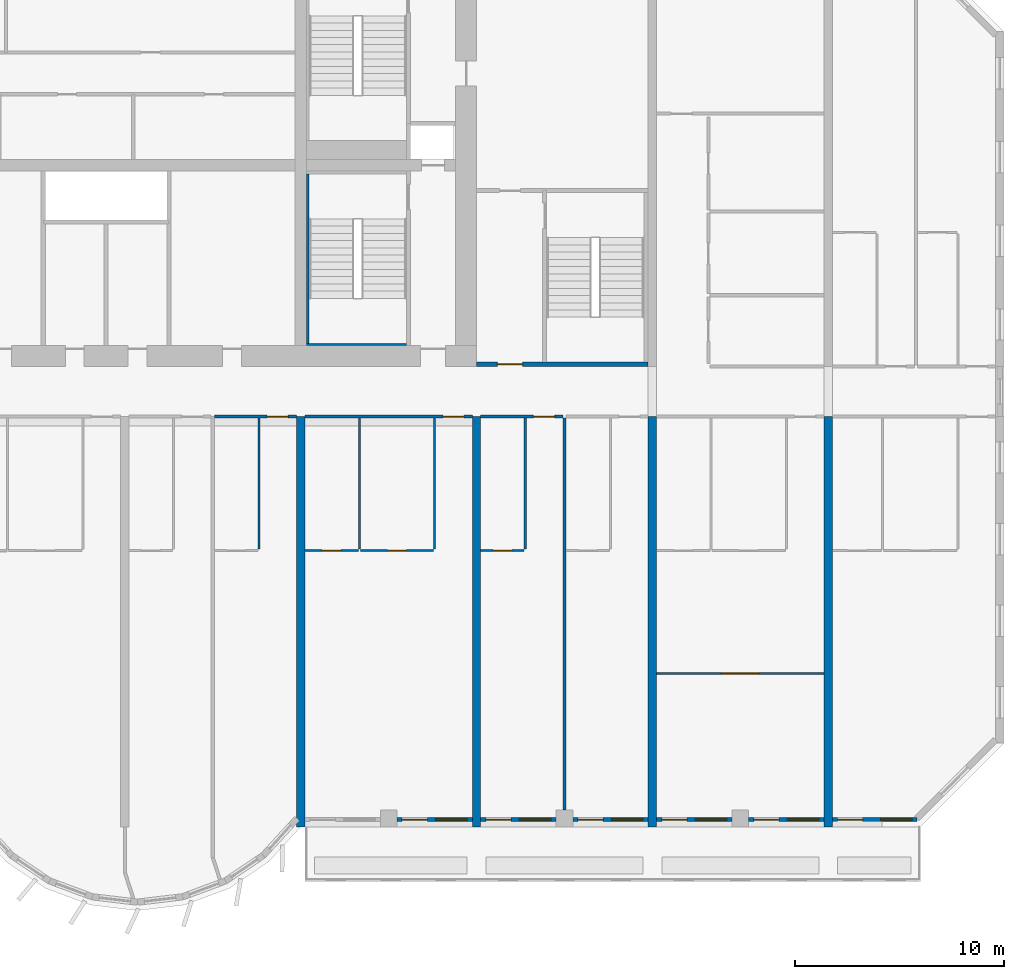
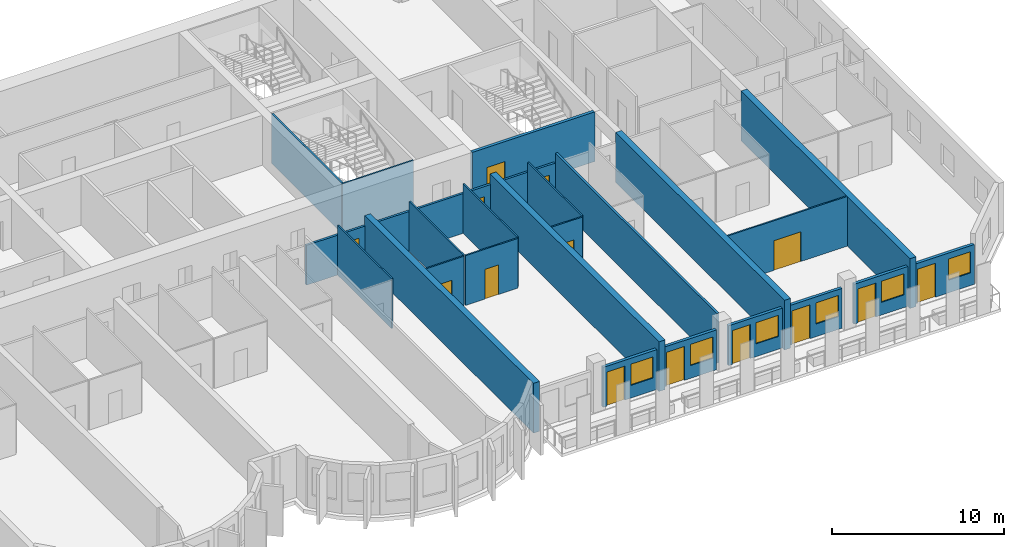
# One storey, part 8 of 15: 25 walls, 14 doors, 6 windows, 20 openings.
"""IFC4 building model written with IfcOpenShell, lengths in metres."""

from ifc_helpers import new_model, si_unit, direction, frame, frame_2d, origin, place, context, subcontext, project, spatial, rectangle, extrude, source, transform, mapped, material, layer, layer_set, type_object, element, fill, save


model = new_model("IFC4")

# Units and contexts
model_context = context("Model", 3, precision=1e-05, world=origin(), true_north=direction((0.0, 1.0)))
body_context = subcontext(model_context, "Body", "Model", "MODEL_VIEW")
ifc_project = project(units=[si_unit("LENGTHUNIT", "METRE"), si_unit("AREAUNIT", "SQUARE_METRE"), si_unit("VOLUMEUNIT", "CUBIC_METRE"), si_unit("PLANEANGLEUNIT", "RADIAN"), si_unit("MASSUNIT", "GRAM", prefix="KILO")], contexts=[model_context])

# Site, building, storey
site_placement = place(None, origin())
site = spatial("IfcSite", under=ifc_project, at=site_placement, CompositionType="ELEMENT")
building_placement = place(site_placement, origin())
building = spatial("IfcBuilding", under=site, at=building_placement, Name="Vanashikhar Sky Hotel", CompositionType="ELEMENT")
storey_placement = place(building_placement, frame((0.0, 0.0, 46.800048828125)))
storey = spatial("IfcBuildingStorey", under=building, at=storey_placement, Name="L10", CompositionType="ELEMENT", Elevation=46.800048828125)

# Walls
ifc_material_1 = material(Name="Concrete M80", Category="concrete")
ifc_layer_1 = layer(ifc_material_1, 0.39990234375)
ifc_layer_set_1 = layer_set([ifc_layer_1], Name="RC shear wall 400 Concrete M80")
wall_type_1 = type_object("IfcWallType", Name="RC shear wall 400 Concrete M80", PredefinedType="SHEAR", material=ifc_layer_set_1)
shared_shape_1 = source(origin(), body_context, "Body", "SweptSolid", [
    extrude(rectangle(XDim=19.60009765625, YDim=0.39990234375, at=frame_2d((9.800048828125, 0.0))), origin(), (0.0, 0.0, 1.0), 3.52001953125),
])
for number, where, z_axis, x_axis, name in (
    (1, (67.199951171875, 0.0, 0.0), (0.0, 0.0, 1.0), (0.0, 1.0, 0.0), "CW-L10-XW09-1"),
    (2, (75.60009765625, 0.0, 0.0), (0.0, 0.0, 1.0), (0.0, 1.0, 0.0), "CW-L10-XW10-1"),
    (3, (84.0, 0.0, 0.0), (0.0, 0.0, 1.0), (0.0, 1.0, 0.0), "CW-L10-XW11-1"),
    (4, (92.39990234375, 0.0, 0.0), (0.0, 0.0, 1.0), (0.0, 1.0, 0.0), "CW-L10-XW12-1"),
):
    element("IfcWall", number, at=place(storey_placement, frame(where, z_axis=z_axis, x_axis=x_axis)), inside=storey, type_object=wall_type_1, Name=name, PredefinedType="SHEAR", context=body_context, shape_type="MappedRepresentation", body=[
        mapped(shared_shape_1, transform((0.0, 0.0, 0.0), scale=1.0)),
    ])

# Wall, openings, window, door
ifc_material_2 = material(Name="Concrete M50", Category="concrete")
ifc_layer_2 = layer(ifc_material_2, 0.199951171875)
ifc_layer_set_2 = layer_set([ifc_layer_2], Name="Front window wall 200")
wall_type_2 = type_object("IfcWallType", Name="Front window wall 200", PredefinedType="SOLIDWALL", material=ifc_layer_set_2)
shared_shape_2 = source(origin(), body_context, "Body", "SweptSolid", [
    extrude(rectangle(XDim=4.054931640625, YDim=0.199951171875, at=frame_2d((2.02734375, 0.0))), origin(), (0.0, 0.0, 1.0), 2.820068359375),
])
wall_1_placement = place(storey_placement, frame((92.60009765625, 0.35009765625, 0.0), z_axis=(0.0, 0.0, 1.0), x_axis=(1.0, 0.0, 0.0)))
wall_1 = element("IfcWall", 5, at=wall_1_placement, inside=storey, type_object=wall_type_2, Name="Front window wall", PredefinedType="SOLIDWALL", context=body_context, shape_type="MappedRepresentation", body=[
    mapped(shared_shape_2, transform((0.0, 0.0, 0.0), scale=1.0)),
])
shared_shape_3 = source(origin(), body_context, "Body", "SweptSolid", [
    extrude(rectangle(XDim=1.199951171875, YDim=2.39990234375, at=frame_2d((0.60009765625, 1.199951171875))), frame((0.0, 0.10986328125, 0.0), z_axis=(0.0, -1.0, 0.0), x_axis=(1.0, 0.0, 0.0)), (0.0, 0.0, 1.0), 0.219970703125),
])
opening_1_placement = place(wall_1_placement, frame((0.25, 0.0, 0.0)))
opening_1 = element("IfcOpeningElement", 6, at=opening_1_placement, cuts=wall_1, Name="Opening BD-14", PredefinedType="OPENING", context=body_context, shape_type="MappedRepresentation", body=[
    mapped(shared_shape_3, transform((0.0, 0.0, 0.0), scale=1.0)),
])
shared_shape_4 = source(origin(), body_context, "Body", "SweptSolid", [
    extrude(rectangle(XDim=1.5, YDim=1.5, at=frame_2d((0.75, 0.75))), frame((0.0, 0.10986328125, 0.0), z_axis=(0.0, -1.0, 0.0), x_axis=(1.0, 0.0, 0.0)), (0.0, 0.0, 1.0), 0.219970703125),
])
opening_2_placement = place(wall_1_placement, frame((2.304931640625, 0.0, 0.89990234375)))
opening_2 = element("IfcOpeningElement", 7, at=opening_2_placement, cuts=wall_1, Name="Opening WN-1", PredefinedType="OPENING", context=body_context, shape_type="MappedRepresentation", body=[
    mapped(shared_shape_4, transform((0.0, 0.0, 0.0), scale=1.0)),
])
ifc_material_3 = material(Name="Glass", Category="glass")
window_type = type_object("IfcWindowType", Name="Window 1500 x 1500", PartitioningType="SINGLE_PANEL", PredefinedType="WINDOW", material=ifc_material_3)
shared_shape_5 = source(origin(), body_context, "Body", "SweptSolid", [
    extrude(rectangle(XDim=1.5, YDim=1.5, at=frame_2d((0.75, 0.75))), frame((0.0, 0.030029296875, 0.0), z_axis=(0.0, -1.0, 0.0), x_axis=(1.0, 0.0, 0.0)), (0.0, 0.0, 1.0), 0.06005859375),
])
window_1_placement = place(opening_2_placement, origin())
window_1 = element("IfcWindow", 8, at=window_1_placement, inside=storey, type_object=window_type, Name="Window WN-1", OverallHeight=1.5, OverallWidth=1.5, PartitioningType="SINGLE_PANEL", PredefinedType="WINDOW", context=body_context, shape_type="MappedRepresentation", body=[
    mapped(shared_shape_5, transform((0.0, 0.0, 0.0), scale=1.0)),
])
fill(opening_2, window_1)
ifc_material_4 = material(Name="Aluminium", Category="aluminium")
door_type_1 = type_object("IfcDoorType", Name="Balcony sliding door 1200 x 2400", OperationType="NOTDEFINED", PredefinedType="DOOR", material=ifc_material_4)
shared_shape_6 = source(origin(), body_context, "Body", "SweptSolid", [
    extrude(rectangle(XDim=1.199951171875, YDim=2.39990234375, at=frame_2d((0.60009765625, 1.199951171875))), frame((0.0, 0.02490234375, 0.0), z_axis=(0.0, -1.0, 0.0), x_axis=(1.0, 0.0, 0.0)), (0.0, 0.0, 1.0), 0.050048828125),
])
door_1_placement = place(opening_1_placement, origin())
door_1 = element("IfcDoor", 9, at=door_1_placement, inside=storey, type_object=door_type_1, Name="Balcony sliding door", OperationType="SLIDING_TO_RIGHT", OverallHeight=2.39990234375, OverallWidth=1.199951171875, PredefinedType="DOOR", context=body_context, shape_type="MappedRepresentation", body=[
    mapped(shared_shape_6, transform((0.0, 0.0, 0.0), scale=1.0)),
])
fill(opening_1, door_1)

shared_shape_7 = source(origin(), body_context, "Body", "SweptSolid", [
    extrude(rectangle(XDim=3.599853515625, YDim=0.199951171875, at=frame_2d((1.7998046875, 0.0))), origin(), (0.0, 0.0, 1.0), 2.820068359375),
])
wall_2_placement = place(storey_placement, frame((71.800048828125, 0.35009765625, 0.0), z_axis=(0.0, 0.0, 1.0), x_axis=(1.0, 0.0, 0.0)))
wall_2 = element("IfcWall", 10, at=wall_2_placement, inside=storey, type_object=wall_type_2, Name="Front window wall", PredefinedType="SOLIDWALL", context=body_context, shape_type="MappedRepresentation", body=[
    mapped(shared_shape_7, transform((0.0, 0.0, 0.0), scale=1.0)),
])
opening_3_placement = place(wall_2_placement, frame((0.25, 0.0, 0.0)))
opening_3 = element("IfcOpeningElement", 11, at=opening_3_placement, cuts=wall_2, Name="Opening BD-09", PredefinedType="OPENING", context=body_context, shape_type="MappedRepresentation", body=[
    mapped(shared_shape_3, transform((0.0, 0.0, 0.0), scale=1.0)),
])
opening_4_placement = place(wall_2_placement, frame((1.85009765625, 0.0, 0.89990234375)))
opening_4 = element("IfcOpeningElement", 12, at=opening_4_placement, cuts=wall_2, Name="Opening WN-1", PredefinedType="OPENING", context=body_context, shape_type="MappedRepresentation", body=[
    mapped(shared_shape_4, transform((0.0, 0.0, 0.0), scale=1.0)),
])
window_2_placement = place(opening_4_placement, origin())
window_2 = element("IfcWindow", 13, at=window_2_placement, inside=storey, type_object=window_type, Name="Window WN-1", OverallHeight=1.5, OverallWidth=1.5, PartitioningType="SINGLE_PANEL", PredefinedType="WINDOW", context=body_context, shape_type="MappedRepresentation", body=[
    mapped(shared_shape_5, transform((0.0, 0.0, 0.0), scale=1.0)),
])
fill(opening_4, window_2)
door_2_placement = place(opening_3_placement, origin())
door_2 = element("IfcDoor", 14, at=door_2_placement, inside=storey, type_object=door_type_1, Name="Balcony sliding door", OperationType="SLIDING_TO_LEFT", OverallHeight=2.39990234375, OverallWidth=1.199951171875, PredefinedType="DOOR", context=body_context, shape_type="MappedRepresentation", body=[
    mapped(shared_shape_6, transform((0.0, 0.0, 0.0), scale=1.0)),
])
fill(opening_3, door_2)

wall_3_placement = place(storey_placement, frame((75.800048828125, 0.35009765625, 0.0), z_axis=(0.0, 0.0, 1.0), x_axis=(1.0, 0.0, 0.0)))
wall_3 = element("IfcWall", 15, at=wall_3_placement, inside=storey, type_object=wall_type_2, Name="Front window wall", PredefinedType="SOLIDWALL", context=body_context, shape_type="MappedRepresentation", body=[
    mapped(shared_shape_7, transform((0.0, 0.0, 0.0), scale=1.0)),
])
opening_5_placement = place(wall_3_placement, frame((0.25, 0.0, 0.0)))
opening_5 = element("IfcOpeningElement", 16, at=opening_5_placement, cuts=wall_3, Name="Opening BD-10", PredefinedType="OPENING", context=body_context, shape_type="MappedRepresentation", body=[
    mapped(shared_shape_3, transform((0.0, 0.0, 0.0), scale=1.0)),
])
opening_6_placement = place(wall_3_placement, frame((1.85009765625, 0.0, 0.89990234375)))
opening_6 = element("IfcOpeningElement", 17, at=opening_6_placement, cuts=wall_3, Name="Opening WN-1", PredefinedType="OPENING", context=body_context, shape_type="MappedRepresentation", body=[
    mapped(shared_shape_4, transform((0.0, 0.0, 0.0), scale=1.0)),
])
window_3_placement = place(opening_6_placement, origin())
window_3 = element("IfcWindow", 18, at=window_3_placement, inside=storey, type_object=window_type, Name="Window WN-1", OverallHeight=1.5, OverallWidth=1.5, PartitioningType="SINGLE_PANEL", PredefinedType="WINDOW", context=body_context, shape_type="MappedRepresentation", body=[
    mapped(shared_shape_5, transform((0.0, 0.0, 0.0), scale=1.0)),
])
fill(opening_6, window_3)
door_3_placement = place(opening_5_placement, origin())
door_3 = element("IfcDoor", 19, at=door_3_placement, inside=storey, type_object=door_type_1, Name="Balcony sliding door", OperationType="SLIDING_TO_RIGHT", OverallHeight=2.39990234375, OverallWidth=1.199951171875, PredefinedType="DOOR", context=body_context, shape_type="MappedRepresentation", body=[
    mapped(shared_shape_6, transform((0.0, 0.0, 0.0), scale=1.0)),
])
fill(opening_5, door_3)

wall_4_placement = place(storey_placement, frame((88.60009765625, 0.35009765625, 0.0), z_axis=(0.0, 0.0, 1.0), x_axis=(1.0, 0.0, 0.0)))
wall_4 = element("IfcWall", 20, at=wall_4_placement, inside=storey, type_object=wall_type_2, Name="Front window wall", PredefinedType="SOLIDWALL", context=body_context, shape_type="MappedRepresentation", body=[
    mapped(shared_shape_7, transform((0.0, 0.0, 0.0), scale=1.0)),
])
opening_7_placement = place(wall_4_placement, frame((0.25, 0.0, 0.0)))
opening_7 = element("IfcOpeningElement", 21, at=opening_7_placement, cuts=wall_4, Name="Opening BD-13", PredefinedType="OPENING", context=body_context, shape_type="MappedRepresentation", body=[
    mapped(shared_shape_3, transform((0.0, 0.0, 0.0), scale=1.0)),
])
opening_8_placement = place(wall_4_placement, frame((1.85009765625, 0.0, 0.89990234375)))
opening_8 = element("IfcOpeningElement", 22, at=opening_8_placement, cuts=wall_4, Name="Opening WN-1", PredefinedType="OPENING", context=body_context, shape_type="MappedRepresentation", body=[
    mapped(shared_shape_4, transform((0.0, 0.0, 0.0), scale=1.0)),
])
window_4_placement = place(opening_8_placement, origin())
window_4 = element("IfcWindow", 23, at=window_4_placement, inside=storey, type_object=window_type, Name="Window WN-1", OverallHeight=1.5, OverallWidth=1.5, PartitioningType="SINGLE_PANEL", PredefinedType="WINDOW", context=body_context, shape_type="MappedRepresentation", body=[
    mapped(shared_shape_5, transform((0.0, 0.0, 0.0), scale=1.0)),
])
fill(opening_8, window_4)
door_4_placement = place(opening_7_placement, origin())
door_4 = element("IfcDoor", 24, at=door_4_placement, inside=storey, type_object=door_type_1, Name="Balcony sliding door", OperationType="SLIDING_TO_LEFT", OverallHeight=2.39990234375, OverallWidth=1.199951171875, PredefinedType="DOOR", context=body_context, shape_type="MappedRepresentation", body=[
    mapped(shared_shape_6, transform((0.0, 0.0, 0.0), scale=1.0)),
])
fill(opening_7, door_4)

shared_shape_8 = source(origin(), body_context, "Body", "SweptSolid", [
    extrude(rectangle(XDim=3.60009765625, YDim=0.199951171875, at=frame_2d((1.800048828125, 0.0))), origin(), (0.0, 0.0, 1.0), 2.820068359375),
])
wall_5_placement = place(storey_placement, frame((80.199951171875, 0.35009765625, 0.0), z_axis=(0.0, 0.0, 1.0), x_axis=(1.0, 0.0, 0.0)))
wall_5 = element("IfcWall", 25, at=wall_5_placement, inside=storey, type_object=wall_type_2, Name="Front window wall", PredefinedType="SOLIDWALL", context=body_context, shape_type="MappedRepresentation", body=[
    mapped(shared_shape_8, transform((0.0, 0.0, 0.0), scale=1.0)),
])
opening_9_placement = place(wall_5_placement, frame((0.25, 0.0, 0.0)))
opening_9 = element("IfcOpeningElement", 26, at=opening_9_placement, cuts=wall_5, Name="Opening BD-11", PredefinedType="OPENING", context=body_context, shape_type="MappedRepresentation", body=[
    mapped(shared_shape_3, transform((0.0, 0.0, 0.0), scale=1.0)),
])
opening_10_placement = place(wall_5_placement, frame((1.85009765625, 0.0, 0.89990234375)))
opening_10 = element("IfcOpeningElement", 27, at=opening_10_placement, cuts=wall_5, Name="Opening WN-1", PredefinedType="OPENING", context=body_context, shape_type="MappedRepresentation", body=[
    mapped(shared_shape_4, transform((0.0, 0.0, 0.0), scale=1.0)),
])
window_5_placement = place(opening_10_placement, origin())
window_5 = element("IfcWindow", 28, at=window_5_placement, inside=storey, type_object=window_type, Name="Window WN-1", OverallHeight=1.5, OverallWidth=1.5, PartitioningType="SINGLE_PANEL", PredefinedType="WINDOW", context=body_context, shape_type="MappedRepresentation", body=[
    mapped(shared_shape_5, transform((0.0, 0.0, 0.0), scale=1.0)),
])
fill(opening_10, window_5)
door_5_placement = place(opening_9_placement, origin())
door_5 = element("IfcDoor", 29, at=door_5_placement, inside=storey, type_object=door_type_1, Name="Balcony sliding door", OperationType="SLIDING_TO_LEFT", OverallHeight=2.39990234375, OverallWidth=1.199951171875, PredefinedType="DOOR", context=body_context, shape_type="MappedRepresentation", body=[
    mapped(shared_shape_6, transform((0.0, 0.0, 0.0), scale=1.0)),
])
fill(opening_9, door_5)

wall_6_placement = place(storey_placement, frame((84.199951171875, 0.35009765625, 0.0), z_axis=(0.0, 0.0, 1.0), x_axis=(1.0, 0.0, 0.0)))
wall_6 = element("IfcWall", 30, at=wall_6_placement, inside=storey, type_object=wall_type_2, Name="Front window wall", PredefinedType="SOLIDWALL", context=body_context, shape_type="MappedRepresentation", body=[
    mapped(shared_shape_8, transform((0.0, 0.0, 0.0), scale=1.0)),
])
opening_11_placement = place(wall_6_placement, frame((0.25, 0.0, 0.0)))
opening_11 = element("IfcOpeningElement", 31, at=opening_11_placement, cuts=wall_6, Name="Opening BD-12", PredefinedType="OPENING", context=body_context, shape_type="MappedRepresentation", body=[
    mapped(shared_shape_3, transform((0.0, 0.0, 0.0), scale=1.0)),
])
opening_12_placement = place(wall_6_placement, frame((1.85009765625, 0.0, 0.89990234375)))
opening_12 = element("IfcOpeningElement", 32, at=opening_12_placement, cuts=wall_6, Name="Opening WN-1", PredefinedType="OPENING", context=body_context, shape_type="MappedRepresentation", body=[
    mapped(shared_shape_4, transform((0.0, 0.0, 0.0), scale=1.0)),
])
window_6_placement = place(opening_12_placement, origin())
window_6 = element("IfcWindow", 33, at=window_6_placement, inside=storey, type_object=window_type, Name="Window WN-1", OverallHeight=1.5, OverallWidth=1.5, PartitioningType="SINGLE_PANEL", PredefinedType="WINDOW", context=body_context, shape_type="MappedRepresentation", body=[
    mapped(shared_shape_5, transform((0.0, 0.0, 0.0), scale=1.0)),
])
fill(opening_12, window_6)
door_6_placement = place(opening_11_placement, origin())
door_6 = element("IfcDoor", 34, at=door_6_placement, inside=storey, type_object=door_type_1, Name="Balcony sliding door", OperationType="SLIDING_TO_RIGHT", OverallHeight=2.39990234375, OverallWidth=1.199951171875, PredefinedType="DOOR", context=body_context, shape_type="MappedRepresentation", body=[
    mapped(shared_shape_6, transform((0.0, 0.0, 0.0), scale=1.0)),
])
fill(opening_11, door_6)

# Wall, opening, door
ifc_layer_3 = layer(ifc_material_2, 0.199951171875)
ifc_layer_set_3 = layer_set([ifc_layer_3], Name="Stair wall 200")
wall_type_3 = type_object("IfcWallType", Name="Stair wall 200", PredefinedType="SOLIDWALL", material=ifc_layer_set_3)
shared_shape_9 = source(origin(), body_context, "Body", "SweptSolid", [
    extrude(rectangle(XDim=8.199951171875, YDim=0.199951171875, at=frame_2d((4.10009765625, 0.0))), origin(), (0.0, 0.0, 1.0), 3.52001953125),
])
wall_7_placement = place(storey_placement, frame((83.800048828125, 22.10009765625, 0.0), z_axis=(0.0, 0.0, 1.0), x_axis=(-1.0, 0.0, 0.0)))
wall_7 = element("IfcWall", 35, at=wall_7_placement, inside=storey, type_object=wall_type_3, Name="Stair wall 200", PredefinedType="SOLIDWALL", context=body_context, shape_type="MappedRepresentation", body=[
    mapped(shared_shape_9, transform((0.0, 0.0, 0.0), scale=1.0)),
])
shared_shape_10 = source(origin(), body_context, "Body", "SweptSolid", [
    extrude(rectangle(XDim=1.199951171875, YDim=2.10009765625, at=frame_2d((0.60009765625, 1.050048828125))), frame((0.0, 0.10986328125, 0.0), z_axis=(0.0, -1.0, 0.0), x_axis=(1.0, 0.0, 0.0)), (0.0, 0.0, 1.0), 0.219970703125),
])
opening_13_placement = place(wall_7_placement, frame((6.0, 0.0, 0.0)))
opening_13 = element("IfcOpeningElement", 36, at=opening_13_placement, cuts=wall_7, Name="Opening DC-2", PredefinedType="OPENING", context=body_context, shape_type="MappedRepresentation", body=[
    mapped(shared_shape_10, transform((0.0, 0.0, 0.0), scale=1.0)),
])
ifc_material_5 = material(Name="Steel", Category="steel")
door_type_2 = type_object("IfcDoorType", Name="Firefighting lobby door 1200 FD120", OperationType="NOTDEFINED", PredefinedType="DOOR", material=ifc_material_5)
shared_shape_11 = source(origin(), body_context, "Body", "SweptSolid", [
    extrude(rectangle(XDim=1.199951171875, YDim=2.10009765625, at=frame_2d((0.60009765625, 1.050048828125))), frame((0.0, 0.02490234375, 0.0), z_axis=(0.0, -1.0, 0.0), x_axis=(1.0, 0.0, 0.0)), (0.0, 0.0, 1.0), 0.050048828125),
])
door_7_placement = place(opening_13_placement, origin())
door_7 = element("IfcDoor", 37, at=door_7_placement, inside=storey, type_object=door_type_2, Name="Firefighting lobby door 1200 FD120", OperationType="SINGLE_SWING_LEFT", OverallHeight=2.10009765625, OverallWidth=1.199951171875, PredefinedType="DOOR", context=body_context, shape_type="MappedRepresentation", body=[
    mapped(shared_shape_11, transform((0.0, 0.0, 0.0), scale=1.0)),
])
fill(opening_13, door_7)

# Walls
ifc_layer_4 = layer(ifc_material_2, 0.10009765625)
ifc_layer_set_4 = layer_set([ifc_layer_4], Name="Stair infill wall 100")
wall_type_4 = type_object("IfcWallType", Name="Stair infill wall 100", PredefinedType="SOLIDWALL", material=ifc_layer_set_4)
shared_shape_12 = source(origin(), body_context, "Body", "SweptSolid", [
    extrude(rectangle(XDim=4.77490234375, YDim=0.10009765625, at=frame_2d((2.387451171875, 0.0))), origin(), (0.0, 0.0, 1.0), 3.52001953125),
])
wall_8_placement = place(storey_placement, frame((67.47509765625, 23.050048828125, 0.0), z_axis=(0.0, 0.0, 1.0), x_axis=(1.0, 0.0, 0.0)))
element("IfcWall", 38, at=wall_8_placement, inside=storey, type_object=wall_type_4, Name="Stair infill wall 100", PredefinedType="SOLIDWALL", context=body_context, shape_type="MappedRepresentation", body=[
    mapped(shared_shape_12, transform((0.0, 0.0, 0.0), scale=1.0)),
])
ifc_layer_5 = layer(ifc_material_2, 0.125)
ifc_layer_set_5 = layer_set([ifc_layer_5], Name="Stair infill wall 125")
wall_type_5 = type_object("IfcWallType", Name="Stair infill wall 125", PredefinedType="SOLIDWALL", material=ifc_layer_set_5)
shared_shape_13 = source(origin(), body_context, "Body", "SweptSolid", [
    extrude(rectangle(XDim=8.099853515625, YDim=0.125, at=frame_2d((4.0498046875, 0.0))), origin(), (0.0, 0.0, 1.0), 3.52001953125),
])
wall_9_placement = place(storey_placement, frame((67.537109375, 23.10009765625, 0.0), z_axis=(0.0, 0.0, 1.0), x_axis=(0.0, 1.0, 0.0)))
element("IfcWall", 39, at=wall_9_placement, inside=storey, type_object=wall_type_5, Name="Stair infill wall 125", PredefinedType="SOLIDWALL", context=body_context, shape_type="MappedRepresentation", body=[
    mapped(shared_shape_13, transform((0.0, 0.0, 0.0), scale=1.0)),
])

# Wall, opening, door
ifc_material_6 = material(Name="Gypsum plasterboard partition")
ifc_layer_6 = layer(ifc_material_6, 0.10009765625)
ifc_layer_set_6 = layer_set([ifc_layer_6], Name="Wet room partition 100")
wall_type_6 = type_object("IfcWallType", Name="Wet room partition 100", PredefinedType="PARTITIONING", material=ifc_layer_set_6)
shared_shape_14 = source(origin(), body_context, "Body", "SweptSolid", [
    extrude(rectangle(XDim=3.5, YDim=0.10009765625, at=frame_2d((1.75, 0.0))), origin(), (0.0, 0.0, 1.0), 3.52001953125),
])
wall_10_placement = place(storey_placement, frame((70.050048828125, 13.199951171875, 0.0), z_axis=(0.0, 0.0, 1.0), x_axis=(1.0, 0.0, 0.0)))
wall_10 = element("IfcWall", 40, at=wall_10_placement, inside=storey, type_object=wall_type_6, Name="W-L10-PW047", PredefinedType="PARTITIONING", context=body_context, shape_type="MappedRepresentation", body=[
    mapped(shared_shape_14, transform((0.0, 0.0, 0.0), scale=1.0)),
])
shared_shape_15 = source(origin(), body_context, "Body", "SweptSolid", [
    extrude(rectangle(XDim=0.89990234375, YDim=2.10009765625, at=frame_2d((0.449951171875, 1.050048828125))), frame((0.0, 0.06005859375, 0.0), z_axis=(0.0, -1.0, 0.0), x_axis=(1.0, 0.0, 0.0)), (0.0, 0.0, 1.0), 0.1201171875),
])
opening_14_placement = place(wall_10_placement, frame((1.300048828125, 0.0, 0.0)))
opening_14 = element("IfcOpeningElement", 41, at=opening_14_placement, cuts=wall_10, Name="Opening D-02", PredefinedType="OPENING", context=body_context, shape_type="MappedRepresentation", body=[
    mapped(shared_shape_15, transform((0.0, 0.0, 0.0), scale=1.0)),
])
ifc_material_7 = material(Name="Timber door", Category="wood")
door_type_3 = type_object("IfcDoorType", Name="Internal door 900", OperationType="NOTDEFINED", PredefinedType="DOOR", material=ifc_material_7)
shared_shape_16 = source(origin(), body_context, "Body", "SweptSolid", [
    extrude(rectangle(XDim=0.89990234375, YDim=2.10009765625, at=frame_2d((0.449951171875, 1.050048828125))), frame((0.0, 0.02490234375, 0.0), z_axis=(0.0, -1.0, 0.0), x_axis=(1.0, 0.0, 0.0)), (0.0, 0.0, 1.0), 0.050048828125),
])
door_8_placement = place(opening_14_placement, origin())
door_8 = element("IfcDoor", 42, at=door_8_placement, inside=storey, type_object=door_type_3, Name="D-L10-027", OperationType="SINGLE_SWING_RIGHT", OverallHeight=2.10009765625, OverallWidth=0.89990234375, PredefinedType="DOOR", context=body_context, shape_type="MappedRepresentation", body=[
    mapped(shared_shape_16, transform((0.0, 0.0, 0.0), scale=1.0)),
])
fill(opening_14, door_8)

# Walls
shared_shape_17 = source(origin(), body_context, "Body", "SweptSolid", [
    extrude(rectangle(XDim=6.25, YDim=0.10009765625, at=frame_2d((3.125, 0.0))), origin(), (0.0, 0.0, 1.0), 3.52001953125),
])
for number, where, z_axis, x_axis, name in (
    (43, (65.199951171875, 13.27490234375, 0.0), (0.0, 0.0, 1.0), (0.0, 1.0, 0.0), "W-L10-PW041"),
    (44, (73.60009765625, 13.27490234375, 0.0), (0.0, 0.0, 1.0), (0.0, 1.0, 0.0), "W-L10-PW045"),
    (45, (70.0, 13.27490234375, 0.0), (0.0, 0.0, 1.0), (0.0, 1.0, 0.0), "W-L10-PW046"),
    (46, (77.925048828125, 13.27490234375, 0.0), (0.0, 0.0, 1.0), (0.0, 1.0, 0.0), "W-L10-PW050"),
):
    element("IfcWall", number, at=place(storey_placement, frame(where, z_axis=z_axis, x_axis=x_axis)), inside=storey, type_object=wall_type_6, Name=name, PredefinedType="PARTITIONING", context=body_context, shape_type="MappedRepresentation", body=[
        mapped(shared_shape_17, transform((0.0, 0.0, 0.0), scale=1.0)),
    ])

# Wall, opening, door
shared_shape_18 = source(origin(), body_context, "Body", "SweptSolid", [
    extrude(rectangle(XDim=2.074951171875, YDim=0.10009765625, at=frame_2d((1.03759765625, 0.0))), origin(), (0.0, 0.0, 1.0), 3.52001953125),
])
wall_11_placement = place(storey_placement, frame((75.800048828125, 13.199951171875, 0.0), z_axis=(0.0, 0.0, 1.0), x_axis=(1.0, 0.0, 0.0)))
wall_11 = element("IfcWall", 47, at=wall_11_placement, inside=storey, type_object=wall_type_6, Name="W-L10-PW051", PredefinedType="PARTITIONING", context=body_context, shape_type="MappedRepresentation", body=[
    mapped(shared_shape_18, transform((0.0, 0.0, 0.0), scale=1.0)),
])
opening_15_placement = place(wall_11_placement, frame((0.587890625, 0.0, 0.0)))
opening_15 = element("IfcOpeningElement", 48, at=opening_15_placement, cuts=wall_11, Name="Opening D-02", PredefinedType="OPENING", context=body_context, shape_type="MappedRepresentation", body=[
    mapped(shared_shape_15, transform((0.0, 0.0, 0.0), scale=1.0)),
])
door_9_placement = place(opening_15_placement, origin())
door_9 = element("IfcDoor", 49, at=door_9_placement, inside=storey, type_object=door_type_3, Name="D-L10-030", OperationType="SINGLE_SWING_RIGHT", OverallHeight=2.10009765625, OverallWidth=0.89990234375, PredefinedType="DOOR", context=body_context, shape_type="MappedRepresentation", body=[
    mapped(shared_shape_16, transform((0.0, 0.0, 0.0), scale=1.0)),
])
fill(opening_15, door_9)

ifc_layer_7 = layer(ifc_material_6, 0.14990234375)
ifc_layer_set_7 = layer_set([ifc_layer_7], Name="Corridor and demising partition 150")
wall_type_7 = type_object("IfcWallType", Name="Corridor and demising partition 150", PredefinedType="PARTITIONING", material=ifc_layer_set_7)
shared_shape_19 = source(origin(), body_context, "Body", "SweptSolid", [
    extrude(rectangle(XDim=3.925048828125, YDim=0.14990234375, at=frame_2d((1.96240234375, 0.0))), origin(), (0.0, 0.0, 1.0), 2.820068359375),
])
wall_12_placement = place(storey_placement, frame((63.074951171875, 19.60009765625, 0.0), z_axis=(0.0, 0.0, 1.0), x_axis=(1.0, 0.0, 0.0)))
wall_12 = element("IfcWall", 50, at=wall_12_placement, inside=storey, type_object=wall_type_7, Name="W-L10-PW043", PredefinedType="PARTITIONING", context=body_context, shape_type="MappedRepresentation", body=[
    mapped(shared_shape_19, transform((0.0, 0.0, 0.0), scale=1.0)),
])
shared_shape_20 = source(origin(), body_context, "Body", "SweptSolid", [
    extrude(rectangle(XDim=1.0, YDim=2.10009765625, at=frame_2d((0.5, 1.050048828125))), frame((0.0, 0.0849609375, 0.0), z_axis=(0.0, -1.0, 0.0), x_axis=(1.0, 0.0, 0.0)), (0.0, 0.0, 1.0), 0.169921875),
])
opening_16_placement = place(wall_12_placement, frame((2.52490234375, 0.0, 0.0)))
opening_16 = element("IfcOpeningElement", 51, at=opening_16_placement, cuts=wall_12, Name="Opening D-01", PredefinedType="OPENING", context=body_context, shape_type="MappedRepresentation", body=[
    mapped(shared_shape_20, transform((0.0, 0.0, 0.0), scale=1.0)),
])
ifc_material_8 = material(Name="Timber fire door", Category="wood")
door_type_4 = type_object("IfcDoorType", Name="Guest entry door 1000 FD30S", OperationType="NOTDEFINED", PredefinedType="DOOR", material=ifc_material_8)
shared_shape_21 = source(origin(), body_context, "Body", "SweptSolid", [
    extrude(rectangle(XDim=1.0, YDim=2.10009765625, at=frame_2d((0.5, 1.050048828125))), frame((0.0, 0.02490234375, 0.0), z_axis=(0.0, -1.0, 0.0), x_axis=(1.0, 0.0, 0.0)), (0.0, 0.0, 1.0), 0.050048828125),
])
door_10_placement = place(opening_16_placement, origin())
door_10 = element("IfcDoor", 52, at=door_10_placement, inside=storey, type_object=door_type_4, Name="D-L10-026", OperationType="SINGLE_SWING_RIGHT", OverallHeight=2.10009765625, OverallWidth=1.0, PredefinedType="DOOR", context=body_context, shape_type="MappedRepresentation", body=[
    mapped(shared_shape_21, transform((0.0, 0.0, 0.0), scale=1.0)),
])
fill(opening_16, door_10)

wall_13_placement = place(storey_placement, frame((75.800048828125, 19.60009765625, 0.0), z_axis=(0.0, 0.0, 1.0), x_axis=(1.0, 0.0, 0.0)))
wall_13 = element("IfcWall", 53, at=wall_13_placement, inside=storey, type_object=wall_type_7, Name="W-L10-PW052", PredefinedType="PARTITIONING", context=body_context, shape_type="MappedRepresentation", body=[
    mapped(shared_shape_19, transform((0.0, 0.0, 0.0), scale=1.0)),
])
opening_17_placement = place(wall_13_placement, frame((2.52490234375, 0.0, 0.0)))
opening_17 = element("IfcOpeningElement", 54, at=opening_17_placement, cuts=wall_13, Name="Opening D-01", PredefinedType="OPENING", context=body_context, shape_type="MappedRepresentation", body=[
    mapped(shared_shape_20, transform((0.0, 0.0, 0.0), scale=1.0)),
])
door_11_placement = place(opening_17_placement, origin())
door_11 = element("IfcDoor", 55, at=door_11_placement, inside=storey, type_object=door_type_4, Name="D-L10-031", OperationType="SINGLE_SWING_RIGHT", OverallHeight=2.10009765625, OverallWidth=1.0, PredefinedType="DOOR", context=body_context, shape_type="MappedRepresentation", body=[
    mapped(shared_shape_21, transform((0.0, 0.0, 0.0), scale=1.0)),
])
fill(opening_17, door_11)

# Wall
shared_shape_22 = source(origin(), body_context, "Body", "SweptSolid", [
    extrude(rectangle(XDim=18.724853515625, YDim=0.14990234375, at=frame_2d((9.3623046875, 0.0))), origin(), (0.0, 0.0, 1.0), 3.52001953125),
])
wall_14_placement = place(storey_placement, frame((79.800048828125, 0.800048828125, 0.0), z_axis=(0.0, 0.0, 1.0), x_axis=(0.0, 1.0, 0.0)))
element("IfcWall", 56, at=wall_14_placement, inside=storey, type_object=wall_type_7, Name="W-L10-PW056", PredefinedType="PARTITIONING", context=body_context, shape_type="MappedRepresentation", body=[
    mapped(shared_shape_22, transform((0.0, 0.0, 0.0), scale=1.0)),
])

# Wall, opening, door
shared_shape_23 = source(origin(), body_context, "Body", "SweptSolid", [
    extrude(rectangle(XDim=2.550048828125, YDim=0.10009765625, at=frame_2d((1.27490234375, 0.0))), origin(), (0.0, 0.0, 1.0), 3.52001953125),
])
wall_15_placement = place(storey_placement, frame((67.39990234375, 13.199951171875, 0.0), z_axis=(0.0, 0.0, 1.0), x_axis=(1.0, 0.0, 0.0)))
wall_15 = element("IfcWall", 57, at=wall_15_placement, inside=storey, type_object=wall_type_6, Name="W-L10-PW048", PredefinedType="PARTITIONING", context=body_context, shape_type="MappedRepresentation", body=[
    mapped(shared_shape_23, transform((0.0, 0.0, 0.0), scale=1.0)),
])
opening_18_placement = place(wall_15_placement, frame((0.824951171875, 0.0, 0.0)))
opening_18 = element("IfcOpeningElement", 58, at=opening_18_placement, cuts=wall_15, Name="Opening D-02", PredefinedType="OPENING", context=body_context, shape_type="MappedRepresentation", body=[
    mapped(shared_shape_15, transform((0.0, 0.0, 0.0), scale=1.0)),
])
door_12_placement = place(opening_18_placement, origin())
door_12 = element("IfcDoor", 59, at=door_12_placement, inside=storey, type_object=door_type_3, Name="D-L10-028", OperationType="SINGLE_SWING_RIGHT", OverallHeight=2.10009765625, OverallWidth=0.89990234375, PredefinedType="DOOR", context=body_context, shape_type="MappedRepresentation", body=[
    mapped(shared_shape_16, transform((0.0, 0.0, 0.0), scale=1.0)),
])
fill(opening_18, door_12)

shared_shape_24 = source(origin(), body_context, "Body", "SweptSolid", [
    extrude(rectangle(XDim=8.0, YDim=0.14990234375, at=frame_2d((4.0, 0.0))), origin(), (0.0, 0.0, 1.0), 2.820068359375),
])
wall_16_placement = place(storey_placement, frame((67.39990234375, 19.60009765625, 0.0), z_axis=(0.0, 0.0, 1.0), x_axis=(1.0, 0.0, 0.0)))
wall_16 = element("IfcWall", 60, at=wall_16_placement, inside=storey, type_object=wall_type_7, Name="W-L10-PW049", PredefinedType="PARTITIONING", context=body_context, shape_type="MappedRepresentation", body=[
    mapped(shared_shape_24, transform((0.0, 0.0, 0.0), scale=1.0)),
])
opening_19_placement = place(wall_16_placement, frame((6.60009765625, 0.0, 0.0)))
opening_19 = element("IfcOpeningElement", 61, at=opening_19_placement, cuts=wall_16, Name="Opening D-01", PredefinedType="OPENING", context=body_context, shape_type="MappedRepresentation", body=[
    mapped(shared_shape_20, transform((0.0, 0.0, 0.0), scale=1.0)),
])
door_13_placement = place(opening_19_placement, origin())
door_13 = element("IfcDoor", 62, at=door_13_placement, inside=storey, type_object=door_type_4, Name="D-L10-029", OperationType="SINGLE_SWING_RIGHT", OverallHeight=2.10009765625, OverallWidth=1.0, PredefinedType="DOOR", context=body_context, shape_type="MappedRepresentation", body=[
    mapped(shared_shape_21, transform((0.0, 0.0, 0.0), scale=1.0)),
])
fill(opening_19, door_13)

shared_shape_25 = source(origin(), body_context, "Body", "SweptSolid", [
    extrude(rectangle(XDim=8.0, YDim=0.10009765625, at=frame_2d((4.0, 0.0))), origin(), (0.0, 0.0, 1.0), 3.52001953125),
])
wall_17_placement = place(storey_placement, frame((84.199951171875, 7.326904296875, 0.0), z_axis=(0.0, 0.0, 1.0), x_axis=(1.0, 0.0, 0.0)))
wall_17 = element("IfcWall", 63, at=wall_17_placement, inside=storey, type_object=wall_type_6, Name="W-L10-PW061", PredefinedType="PARTITIONING", context=body_context, shape_type="MappedRepresentation", body=[
    mapped(shared_shape_25, transform((0.0, 0.0, 0.0), scale=1.0)),
])
shared_shape_26 = source(origin(), body_context, "Body", "SweptSolid", [
    extrude(rectangle(XDim=1.800048828125, YDim=2.10009765625, at=frame_2d((0.89990234375, 1.050048828125))), frame((0.0, 0.06005859375, 0.0), z_axis=(0.0, -1.0, 0.0), x_axis=(1.0, 0.0, 0.0)), (0.0, 0.0, 1.0), 0.1201171875),
])
opening_20_placement = place(wall_17_placement, frame((3.10009765625, 0.0, 0.0)))
opening_20 = element("IfcOpeningElement", 64, at=opening_20_placement, cuts=wall_17, Name="Opening D-08", PredefinedType="OPENING", context=body_context, shape_type="MappedRepresentation", body=[
    mapped(shared_shape_26, transform((0.0, 0.0, 0.0), scale=1.0)),
])
door_type_5 = type_object("IfcDoorType", Name="Double leaf door 1800", OperationType="NOTDEFINED", PredefinedType="DOOR", material=ifc_material_7)
shared_shape_27 = source(origin(), body_context, "Body", "SweptSolid", [
    extrude(rectangle(XDim=1.800048828125, YDim=2.10009765625, at=frame_2d((0.89990234375, 1.050048828125))), frame((0.0, 0.02490234375, 0.0), z_axis=(0.0, -1.0, 0.0), x_axis=(1.0, 0.0, 0.0)), (0.0, 0.0, 1.0), 0.050048828125),
])
door_14_placement = place(opening_20_placement, origin())
door_14 = element("IfcDoor", 65, at=door_14_placement, inside=storey, type_object=door_type_5, Name="D-L10-036", OperationType="DOUBLE_DOOR_SINGLE_SWING", OverallHeight=2.10009765625, OverallWidth=1.800048828125, PredefinedType="DOOR", context=body_context, shape_type="MappedRepresentation", body=[
    mapped(shared_shape_27, transform((0.0, 0.0, 0.0), scale=1.0)),
])
fill(opening_20, door_14)

save(model, "model.ifc")
